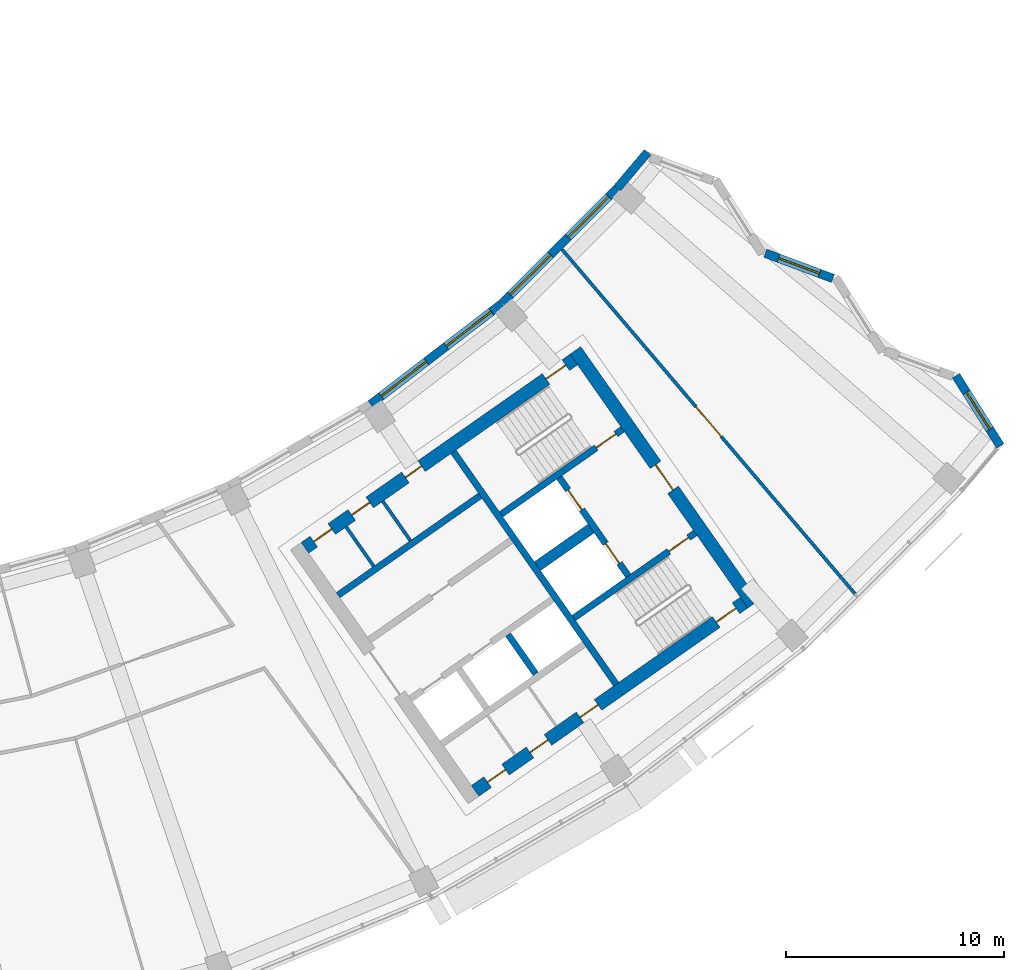
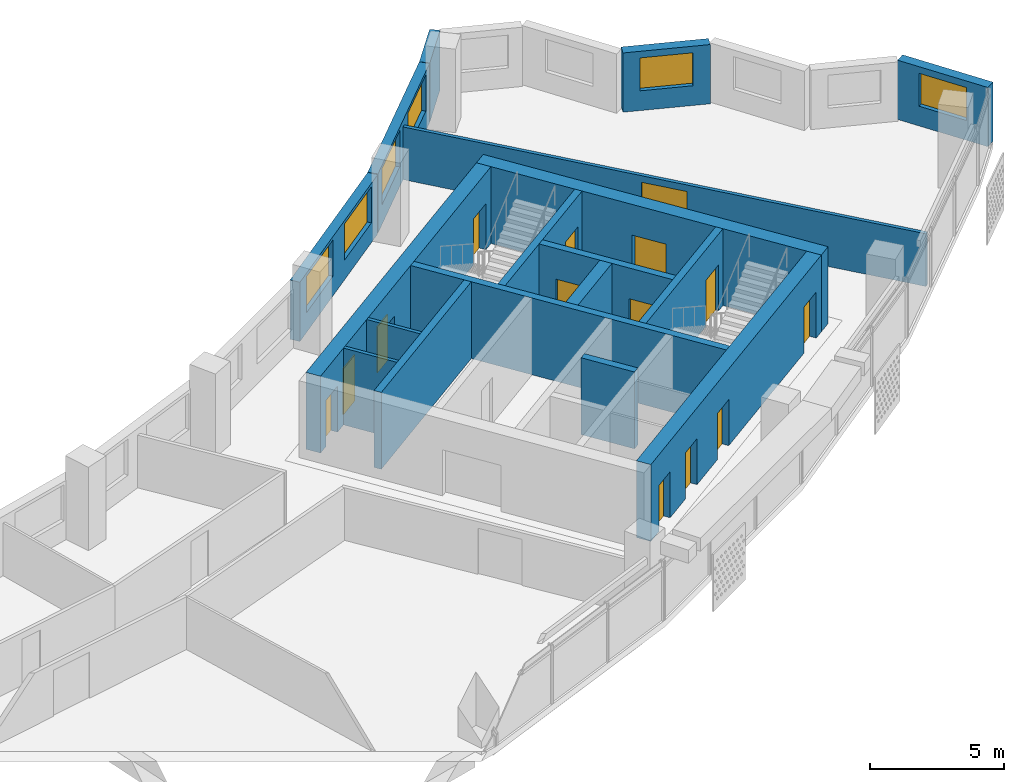
# One storey, part 7 of 28: 18 walls, 14 doors, 6 windows, 20 openings.
"""IFC4 building model written with IfcOpenShell, lengths in metres."""

from ifc_helpers import new_model, si_unit, direction, frame, frame_2d, origin, place, context, subcontext, project, spatial, rectangle, extrude, material, layer, layer_set, type_object, element, fill, save


model = new_model("IFC4")

# Units and contexts
model_context = context("Model", 3, precision=1e-05, world=origin(), true_north=direction((0.0, 1.0)))
body_context = subcontext(model_context, "Body", "Model", "MODEL_VIEW")
ifc_project = project(units=[si_unit("LENGTHUNIT", "METRE"), si_unit("AREAUNIT", "SQUARE_METRE"), si_unit("VOLUMEUNIT", "CUBIC_METRE"), si_unit("PLANEANGLEUNIT", "RADIAN"), si_unit("MASSUNIT", "GRAM", prefix="KILO")], contexts=[model_context])

# Site, building, storey
site_placement = place(None, origin())
site = spatial("IfcSite", under=ifc_project, at=site_placement, CompositionType="ELEMENT")
building_placement = place(site_placement, origin())
building = spatial("IfcBuilding", under=site, at=building_placement, Name="Qamariyya Broadcast Tower", CompositionType="ELEMENT")
storey_placement = place(building_placement, frame((0.0, 0.0, 230.300048828125)))
storey = spatial("IfcBuildingStorey", under=building, at=storey_placement, Name="L55", CompositionType="ELEMENT", Elevation=230.300048828125)

# Wall, opening, door
ifc_material_1 = material(Name="Concrete C60/75", Category="concrete")
ifc_layer_1 = layer(ifc_material_1, 0.60009765625)
ifc_layer_set_1 = layer_set([ifc_layer_1], Name="Core wall 600 mm Concrete C60/75")
wall_type_1 = type_object("IfcWallType", Name="Core wall 600 mm Concrete C60/75", PredefinedType="SHEAR", material=ifc_layer_set_1)
wall_1_placement = place(storey_placement, frame((49.4833984375, -57.031494140625, 0.0), z_axis=(0.0, 0.0, 1.0), x_axis=(-0.573560421458, 0.819163257805, 0.0)))
wall_1 = element("IfcWall", 1, at=wall_1_placement, inside=storey, type_object=wall_type_1, Name="k-E-L55-WH", PredefinedType="SHEAR", context=body_context, shape_type="SweptSolid", body=[
    extrude(rectangle(XDim=14.199951171875, YDim=0.60009765625, at=frame_2d((7.10009765625, 0.0))), origin(), (0.0, 0.0, 1.0), 3.5),
])
opening_1_placement = place(wall_1_placement, frame((6.39990234375, 0.0, 0.0)))
opening_1 = element("IfcOpeningElement", 2, at=opening_1_placement, cuts=wall_1, Name="Opening KD2-E1", PredefinedType="OPENING", context=body_context, shape_type="SweptSolid", body=[
    extrude(rectangle(XDim=1.39990234375, YDim=2.10009765625, at=frame_2d((0.699951171875, 1.050048828125))), frame((0.0, 0.31005859375, 0.0), z_axis=(0.0, -1.0, 0.0), x_axis=(1.0, 0.0, 0.0)), (0.0, 0.0, 1.0), 0.6201171875),
])
ifc_material_2 = material(Name="Steel fire-resisting door leaf", Category="steel")
door_type_1 = type_object("IfcDoorType", Name="Fire-fighting lobby door KD2", OperationType="DOUBLE_DOOR_SINGLE_SWING", PredefinedType="DOOR", material=ifc_material_2)
door_1_placement = place(opening_1_placement, origin())
door_1 = element("IfcDoor", 3, at=door_1_placement, inside=storey, type_object=door_type_1, Name="k-E-L55-WH-D13", OperationType="DOUBLE_DOOR_SINGLE_SWING", OverallHeight=2.10009765625, OverallWidth=1.39990234375, PredefinedType="DOOR", context=body_context, shape_type="SweptSolid", body=[
    extrude(rectangle(XDim=1.39990234375, YDim=2.10009765625, at=frame_2d((0.699951171875, 1.050048828125))), frame((0.0, 0.02490234375, 0.0), z_axis=(0.0, -1.0, 0.0), x_axis=(1.0, 0.0, 0.0)), (0.0, 0.0, 1.0), 0.050048828125),
])
fill(opening_1, door_1)

# Wall, openings, doors
wall_2_placement = place(storey_placement, frame((28.940673828125, -54.447021484375, 0.0), z_axis=(0.0, 0.0, 1.0), x_axis=(0.819153391756, 0.573574511963, 0.0)))
wall_2 = element("IfcWall", 4, at=wall_2_placement, inside=storey, type_object=wall_type_1, Name="k-E-L55-WI", PredefinedType="SHEAR", context=body_context, shape_type="SweptSolid", body=[
    extrude(rectangle(XDim=15.04541015625, YDim=0.60009765625, at=frame_2d((7.522705078125, 0.0))), origin(), (0.0, 0.0, 1.0), 3.5),
])
opening_2_placement = place(wall_2_placement, frame((0.5, 0.0, 0.0)))
opening_2 = element("IfcOpeningElement", 5, at=opening_2_placement, cuts=wall_2, Name="Opening KD6-E2", PredefinedType="OPENING", context=body_context, shape_type="SweptSolid", body=[
    extrude(rectangle(XDim=1.0, YDim=2.10009765625, at=frame_2d((0.5, 1.050048828125))), frame((0.0, 0.31005859375, 0.0), z_axis=(0.0, -1.0, 0.0), x_axis=(1.0, 0.0, 0.0)), (0.0, 0.0, 1.0), 0.6201171875),
])
opening_3_placement = place(wall_2_placement, frame((2.625, 0.0, 0.0)))
opening_3 = element("IfcOpeningElement", 6, at=opening_3_placement, cuts=wall_2, Name="Opening KD7-E1", PredefinedType="OPENING", context=body_context, shape_type="SweptSolid", body=[
    extrude(rectangle(XDim=1.0, YDim=2.10009765625, at=frame_2d((0.5, 1.050048828125))), frame((0.0, 0.31005859375, 0.0), z_axis=(0.0, -1.0, 0.0), x_axis=(1.0, 0.0, 0.0)), (0.0, 0.0, 1.0), 0.6201171875),
])
opening_4_placement = place(wall_2_placement, frame((5.625, 0.0, 0.0)))
opening_4 = element("IfcOpeningElement", 7, at=opening_4_placement, cuts=wall_2, Name="Opening KD5-E1", PredefinedType="OPENING", context=body_context, shape_type="SweptSolid", body=[
    extrude(rectangle(XDim=0.89990234375, YDim=2.10009765625, at=frame_2d((0.449951171875, 1.050048828125))), frame((0.0, 0.31005859375, 0.0), z_axis=(0.0, -1.0, 0.0), x_axis=(1.0, 0.0, 0.0)), (0.0, 0.0, 1.0), 0.6201171875),
])
opening_5_placement = place(wall_2_placement, frame((13.495361328125, 0.0, 0.0)))
opening_5 = element("IfcOpeningElement", 8, at=opening_5_placement, cuts=wall_2, Name="Opening KD1-E1", PredefinedType="OPENING", context=body_context, shape_type="SweptSolid", body=[
    extrude(rectangle(XDim=1.10009765625, YDim=2.10009765625, at=frame_2d((0.550048828125, 1.050048828125))), frame((0.0, 0.31005859375, 0.0), z_axis=(0.0, -1.0, 0.0), x_axis=(1.0, 0.0, 0.0)), (0.0, 0.0, 1.0), 0.6201171875),
])
door_type_2 = type_object("IfcDoorType", Name="Accessible toilet door KD7", OperationType="SINGLE_SWING_LEFT", PredefinedType="DOOR", material=ifc_material_2)
door_2_placement = place(opening_3_placement, origin())
door_2 = element("IfcDoor", 9, at=door_2_placement, inside=storey, type_object=door_type_2, Name="k-E-L55-WI-D6", OperationType="SINGLE_SWING_RIGHT", OverallHeight=2.10009765625, OverallWidth=1.0, PredefinedType="DOOR", context=body_context, shape_type="SweptSolid", body=[
    extrude(rectangle(XDim=1.0, YDim=2.10009765625, at=frame_2d((0.5, 1.050048828125))), frame((0.0, 0.02490234375, 0.0), z_axis=(0.0, -1.0, 0.0), x_axis=(1.0, 0.0, 0.0)), (0.0, 0.0, 1.0), 0.050048828125),
])
fill(opening_3, door_2)
door_type_3 = type_object("IfcDoorType", Name="Core room door KD6", OperationType="SINGLE_SWING_LEFT", PredefinedType="DOOR", material=ifc_material_2)
door_3_placement = place(opening_2_placement, origin())
door_3 = element("IfcDoor", 10, at=door_3_placement, inside=storey, type_object=door_type_3, Name="k-E-L55-WI-D5", OperationType="SINGLE_SWING_LEFT", OverallHeight=2.10009765625, OverallWidth=1.0, PredefinedType="DOOR", context=body_context, shape_type="SweptSolid", body=[
    extrude(rectangle(XDim=1.0, YDim=2.10009765625, at=frame_2d((0.5, 1.050048828125))), frame((0.0, 0.02490234375, 0.0), z_axis=(0.0, -1.0, 0.0), x_axis=(1.0, 0.0, 0.0)), (0.0, 0.0, 1.0), 0.050048828125),
])
fill(opening_2, door_3)
door_type_4 = type_object("IfcDoorType", Name="Stair door KD1", OperationType="SINGLE_SWING_LEFT", PredefinedType="DOOR", material=ifc_material_2)
door_4_placement = place(opening_5_placement, origin())
door_4 = element("IfcDoor", 11, at=door_4_placement, inside=storey, type_object=door_type_4, Name="k-E-L55-WI-D14", OperationType="SINGLE_SWING_RIGHT", OverallHeight=2.10009765625, OverallWidth=1.10009765625, PredefinedType="DOOR", context=body_context, shape_type="SweptSolid", body=[
    extrude(rectangle(XDim=1.10009765625, YDim=2.10009765625, at=frame_2d((0.550048828125, 1.050048828125))), frame((0.0, 0.02490234375, 0.0), z_axis=(0.0, -1.0, 0.0), x_axis=(1.0, 0.0, 0.0)), (0.0, 0.0, 1.0), 0.050048828125),
])
fill(opening_5, door_4)
door_type_5 = type_object("IfcDoorType", Name="Toilet door KD5", OperationType="SINGLE_SWING_LEFT", PredefinedType="DOOR", material=ifc_material_2)
door_5_placement = place(opening_4_placement, origin())
door_5 = element("IfcDoor", 12, at=door_5_placement, inside=storey, type_object=door_type_5, Name="k-E-L55-WI-D7", OperationType="SINGLE_SWING_LEFT", OverallHeight=2.10009765625, OverallWidth=0.89990234375, PredefinedType="DOOR", context=body_context, shape_type="SweptSolid", body=[
    extrude(rectangle(XDim=0.89990234375, YDim=2.10009765625, at=frame_2d((0.449951171875, 1.050048828125))), frame((0.0, 0.02490234375, 0.0), z_axis=(0.0, -1.0, 0.0), x_axis=(1.0, 0.0, 0.0)), (0.0, 0.0, 1.0), 0.050048828125),
])
fill(opening_4, door_5)

wall_3_placement = place(storey_placement, frame((36.7412109375, -65.58740234375, 0.0), z_axis=(0.0, 0.0, 1.0), x_axis=(0.819153391756, 0.573574511963, 0.0)))
wall_3 = element("IfcWall", 13, at=wall_3_placement, inside=storey, type_object=wall_type_1, Name="k-E-L55-WO", PredefinedType="SHEAR", context=body_context, shape_type="SweptSolid", body=[
    extrude(rectangle(XDim=15.04541015625, YDim=0.60009765625, at=frame_2d((7.522705078125, 0.0))), origin(), (0.0, 0.0, 1.0), 3.5),
])
opening_6_placement = place(wall_3_placement, frame((0.699951171875, 0.0, 0.0)))
opening_6 = element("IfcOpeningElement", 14, at=opening_6_placement, cuts=wall_3, Name="Opening KD6-E3", PredefinedType="OPENING", context=body_context, shape_type="SweptSolid", body=[
    extrude(rectangle(XDim=1.0, YDim=2.10009765625, at=frame_2d((0.5, 1.050048828125))), frame((0.0, 0.31005859375, 0.0), z_axis=(0.0, -1.0, 0.0), x_axis=(1.0, 0.0, 0.0)), (0.0, 0.0, 1.0), 0.6201171875),
])
opening_7_placement = place(wall_3_placement, frame((3.074951171875, 0.0, 0.0)))
opening_7 = element("IfcOpeningElement", 15, at=opening_7_placement, cuts=wall_3, Name="Opening KD4-E1", PredefinedType="OPENING", context=body_context, shape_type="SweptSolid", body=[
    extrude(rectangle(XDim=1.0, YDim=2.10009765625, at=frame_2d((0.5, 1.050048828125))), frame((0.0, 0.31005859375, 0.0), z_axis=(0.0, -1.0, 0.0), x_axis=(1.0, 0.0, 0.0)), (0.0, 0.0, 1.0), 0.6201171875),
])
opening_8_placement = place(wall_3_placement, frame((5.875, 0.0, 0.0)))
opening_8 = element("IfcOpeningElement", 16, at=opening_8_placement, cuts=wall_3, Name="Opening KD4-E2", PredefinedType="OPENING", context=body_context, shape_type="SweptSolid", body=[
    extrude(rectangle(XDim=1.0, YDim=2.10009765625, at=frame_2d((0.5, 1.050048828125))), frame((0.0, 0.31005859375, 0.0), z_axis=(0.0, -1.0, 0.0), x_axis=(1.0, 0.0, 0.0)), (0.0, 0.0, 1.0), 0.6201171875),
])
opening_9_placement = place(wall_3_placement, frame((13.495361328125, 0.0, 0.0)))
opening_9 = element("IfcOpeningElement", 17, at=opening_9_placement, cuts=wall_3, Name="Opening KD1-E3", PredefinedType="OPENING", context=body_context, shape_type="SweptSolid", body=[
    extrude(rectangle(XDim=1.10009765625, YDim=2.10009765625, at=frame_2d((0.550048828125, 1.050048828125))), frame((0.0, 0.31005859375, 0.0), z_axis=(0.0, -1.0, 0.0), x_axis=(1.0, 0.0, 0.0)), (0.0, 0.0, 1.0), 0.6201171875),
])
door_6_placement = place(opening_6_placement, origin())
door_6 = element("IfcDoor", 18, at=door_6_placement, inside=storey, type_object=door_type_3, Name="k-E-L55-WO-D8", OperationType="SINGLE_SWING_RIGHT", OverallHeight=2.10009765625, OverallWidth=1.0, PredefinedType="DOOR", context=body_context, shape_type="SweptSolid", body=[
    extrude(rectangle(XDim=1.0, YDim=2.10009765625, at=frame_2d((0.5, 1.050048828125))), frame((0.0, 0.02490234375, 0.0), z_axis=(0.0, -1.0, 0.0), x_axis=(1.0, 0.0, 0.0)), (0.0, 0.0, 1.0), 0.050048828125),
])
fill(opening_6, door_6)
door_type_6 = type_object("IfcDoorType", Name="Riser and plant door KD4", OperationType="SINGLE_SWING_LEFT", PredefinedType="DOOR", material=ifc_material_2)
door_7_placement = place(opening_7_placement, origin())
door_7 = element("IfcDoor", 19, at=door_7_placement, inside=storey, type_object=door_type_6, Name="k-E-L55-WO-D9", OperationType="SINGLE_SWING_LEFT", OverallHeight=2.10009765625, OverallWidth=1.0, PredefinedType="DOOR", context=body_context, shape_type="SweptSolid", body=[
    extrude(rectangle(XDim=1.0, YDim=2.10009765625, at=frame_2d((0.5, 1.050048828125))), frame((0.0, 0.02490234375, 0.0), z_axis=(0.0, -1.0, 0.0), x_axis=(1.0, 0.0, 0.0)), (0.0, 0.0, 1.0), 0.050048828125),
])
fill(opening_7, door_7)
door_8_placement = place(opening_8_placement, origin())
door_8 = element("IfcDoor", 20, at=door_8_placement, inside=storey, type_object=door_type_6, Name="k-E-L55-WO-D10", OperationType="SINGLE_SWING_RIGHT", OverallHeight=2.10009765625, OverallWidth=1.0, PredefinedType="DOOR", context=body_context, shape_type="SweptSolid", body=[
    extrude(rectangle(XDim=1.0, YDim=2.10009765625, at=frame_2d((0.5, 1.050048828125))), frame((0.0, 0.02490234375, 0.0), z_axis=(0.0, -1.0, 0.0), x_axis=(1.0, 0.0, 0.0)), (0.0, 0.0, 1.0), 0.050048828125),
])
fill(opening_8, door_8)
door_9_placement = place(opening_9_placement, origin())
door_9 = element("IfcDoor", 21, at=door_9_placement, inside=storey, type_object=door_type_4, Name="k-E-L55-WO-D16", OperationType="SINGLE_SWING_LEFT", OverallHeight=2.10009765625, OverallWidth=1.10009765625, PredefinedType="DOOR", context=body_context, shape_type="SweptSolid", body=[
    extrude(rectangle(XDim=1.10009765625, YDim=2.10009765625, at=frame_2d((0.550048828125, 1.050048828125))), frame((0.0, 0.02490234375, 0.0), z_axis=(0.0, -1.0, 0.0), x_axis=(1.0, 0.0, 0.0)), (0.0, 0.0, 1.0), 0.050048828125),
])
fill(opening_9, door_9)

# Wall, opening, door
ifc_material_3 = material(Name="Gypsum board partition")
ifc_layer_2 = layer(ifc_material_3, 0.14990234375)
ifc_layer_set_2 = layer_set([ifc_layer_2], Name="Corridor partition 150 EI 60")
wall_type_2 = type_object("IfcWallType", Name="Corridor partition 150 EI 60", PredefinedType="PARTITIONING", material=ifc_layer_set_2)
wall_4_placement = place(storey_placement, frame((40.724853515625, -40.7705078125, 0.0), z_axis=(0.0, 0.0, 1.0), x_axis=(0.647962636986, -0.761672121762, 0.0)))
wall_4 = element("IfcWall", 22, at=wall_4_placement, inside=storey, type_object=wall_type_2, Name="Partition L55-032", PredefinedType="PARTITIONING", context=body_context, shape_type="SweptSolid", body=[
    extrude(rectangle(XDim=20.723388671875, YDim=0.14990234375, at=frame_2d((10.36181640625, 0.0))), origin(), (0.0, 0.0, 1.0), 2.39990234375),
])
opening_10_placement = place(wall_4_placement, frame((9.461669921875, 0.0, 0.0)))
opening_10 = element("IfcOpeningElement", 23, at=opening_10_placement, cuts=wall_4, Name="Opening L55-D16", PredefinedType="OPENING", context=body_context, shape_type="SweptSolid", body=[
    extrude(rectangle(XDim=1.800048828125, YDim=2.10009765625, at=frame_2d((0.89990234375, 1.050048828125))), frame((0.0, 0.0849609375, 0.0), z_axis=(0.0, -1.0, 0.0), x_axis=(1.0, 0.0, 0.0)), (0.0, 0.0, 1.0), 0.169921875),
])
ifc_material_4 = material(Name="Timber fire door leaf", Category="wood")
door_type_7 = type_object("IfcDoorType", Name="Double fire door 1800 x 2100 FD60", OperationType="NOTDEFINED", PredefinedType="DOOR", material=ifc_material_4)
door_10_placement = place(opening_10_placement, origin())
door_10 = element("IfcDoor", 24, at=door_10_placement, inside=storey, type_object=door_type_7, Name="Door L55-D16", OperationType="DOUBLE_DOOR_SINGLE_SWING", OverallHeight=2.10009765625, OverallWidth=1.800048828125, PredefinedType="DOOR", context=body_context, shape_type="SweptSolid", body=[
    extrude(rectangle(XDim=1.800048828125, YDim=2.10009765625, at=frame_2d((0.89990234375, 1.050048828125))), frame((0.0, 0.02490234375, 0.0), z_axis=(0.0, -1.0, 0.0), x_axis=(1.0, 0.0, 0.0)), (0.0, 0.0, 1.0), 0.050048828125),
])
fill(opening_10, door_10)

# Walls
ifc_layer_3 = layer(ifc_material_1, 0.5)
ifc_layer_set_3 = layer_set([ifc_layer_3], Name="Fire-fighting lobby divider wall 500 mm Concrete C60/75")
wall_type_3 = type_object("IfcWallType", Name="Fire-fighting lobby divider wall 500 mm Concrete C60/75", PredefinedType="SOLIDWALL", material=ifc_layer_set_3)
wall_5_placement = place(storey_placement, frame((39.59912109375, -55.28515625, 0.0), z_axis=(0.0, 0.0, 1.0), x_axis=(0.819136323161, 0.573598887793, 0.0)))
element("IfcWall", 25, at=wall_5_placement, inside=storey, type_object=wall_type_3, Name="k-E-L55-FD", PredefinedType="SOLIDWALL", context=body_context, shape_type="SweptSolid", body=[
    extrude(rectangle(XDim=2.999755859375, YDim=0.5, at=frame_2d((1.5, 0.0))), origin(), (0.0, 0.0, 1.0), 3.5),
])
ifc_material_5 = material(Name="Gypsum board partition on steel studs", Category="steel")
ifc_layer_4 = layer(ifc_material_5, 0.14990234375)
ifc_layer_set_4 = layer_set([ifc_layer_4], Name="Gypsum board partition 150 mm")
wall_type_4 = type_object("IfcWallType", Name="Gypsum board partition 150 mm", PredefinedType="PARTITIONING", material=ifc_layer_set_4)
wall_6_placement = place(storey_placement, frame((32.0947265625, -55.290283203125, 0.0), z_axis=(0.0, 0.0, 1.0), x_axis=(-0.573559170999, 0.819164133348, 0.0)))
element("IfcWall", 26, at=wall_6_placement, inside=storey, type_object=wall_type_4, Name="k-E-L55-NP210", PredefinedType="PARTITIONING", context=body_context, shape_type="SweptSolid", body=[
    extrude(rectangle(XDim=2.19970703125, YDim=0.14990234375, at=frame_2d((1.099853515625, 0.0))), origin(), (0.0, 0.0, 1.0), 3.5),
])
wall_7_placement = place(storey_placement, frame((33.774169921875, -54.114501953125, 0.0), z_axis=(0.0, 0.0, 1.0), x_axis=(-0.573581496053, 0.819148501424, 0.0)))
element("IfcWall", 27, at=wall_7_placement, inside=storey, type_object=wall_type_4, Name="k-E-L55-NP415", PredefinedType="PARTITIONING", context=body_context, shape_type="SweptSolid", body=[
    extrude(rectangle(XDim=2.2001953125, YDim=0.14990234375, at=frame_2d((1.10009765625, 0.0))), origin(), (0.0, 0.0, 1.0), 3.5),
])
ifc_layer_5 = layer(ifc_material_1, 0.300048828125)
ifc_layer_set_5 = layer_set([ifc_layer_5], Name="Lift shaft wall 300 mm Concrete C60/75")
wall_type_5 = type_object("IfcWallType", Name="Lift shaft wall 300 mm Concrete C60/75", PredefinedType="SOLIDWALL", material=ifc_layer_set_5)
wall_8_placement = place(storey_placement, frame((43.204345703125, -60.69580078125, 0.0), z_axis=(0.0, 0.0, 1.0), x_axis=(-0.573571992966, 0.819155155563, 0.0)))
element("IfcWall", 28, at=wall_8_placement, inside=storey, type_object=wall_type_5, Name="k-E-L55-WL", PredefinedType="SOLIDWALL", context=body_context, shape_type="SweptSolid", body=[
    extrude(rectangle(XDim=13.000244140625, YDim=0.300048828125, at=frame_2d((6.5, 0.0))), origin(), (0.0, 0.0, 1.0), 3.5),
])
wall_9_placement = place(storey_placement, frame((30.460693359375, -56.61767578125, 0.0), z_axis=(0.0, 0.0, 1.0), x_axis=(0.819142461705, 0.573590121456, 0.0)))
element("IfcWall", 29, at=wall_9_placement, inside=storey, type_object=wall_type_5, Name="k-E-L55-NB0", PredefinedType="SOLIDWALL", context=body_context, shape_type="SweptSolid", body=[
    extrude(rectangle(XDim=7.949951171875, YDim=0.300048828125, at=frame_2d((3.97509765625, 0.0))), origin(), (0.0, 0.0, 1.0), 3.5),
])
wall_10_placement = place(storey_placement, frame((38.255859375, -58.423095703125, 0.0), z_axis=(0.0, 0.0, 1.0), x_axis=(0.573633636671, -0.819111989218, 0.0)))
element("IfcWall", 30, at=wall_10_placement, inside=storey, type_object=wall_type_5, Name="k-E-L55-SD1", PredefinedType="SOLIDWALL", context=body_context, shape_type="SweptSolid", body=[
    extrude(rectangle(XDim=2.199951171875, YDim=0.300048828125, at=frame_2d((1.10009765625, 0.0))), origin(), (0.0, 0.0, 1.0), 3.5),
])

# Wall, opening, door
wall_11_placement = place(storey_placement, frame((37.935546875, -52.90966796875, 0.0), z_axis=(0.0, 0.0, 1.0), x_axis=(0.819147518138, 0.57358290031, 0.0)))
wall_11 = element("IfcWall", 31, at=wall_11_placement, inside=storey, type_object=wall_type_5, Name="k-E-L55-NW", PredefinedType="SOLIDWALL", context=body_context, shape_type="SweptSolid", body=[
    extrude(rectangle(XDim=6.79541015625, YDim=0.300048828125, at=frame_2d((3.397705078125, 0.0))), origin(), (0.0, 0.0, 1.0), 3.5),
])
opening_11_placement = place(wall_11_placement, frame((5.3203125, 0.0, 0.0)))
opening_11 = element("IfcOpeningElement", 32, at=opening_11_placement, cuts=wall_11, Name="Opening KD1-E2", PredefinedType="OPENING", context=body_context, shape_type="SweptSolid", body=[
    extrude(rectangle(XDim=1.10009765625, YDim=2.10009765625, at=frame_2d((0.550048828125, 1.050048828125))), frame((0.0, 0.159912109375, 0.0), z_axis=(0.0, -1.0, 0.0), x_axis=(1.0, 0.0, 0.0)), (0.0, 0.0, 1.0), 0.320068359375),
])
door_11_placement = place(opening_11_placement, origin())
door_11 = element("IfcDoor", 33, at=door_11_placement, inside=storey, type_object=door_type_4, Name="k-E-L55-NW-D15", OperationType="SINGLE_SWING_LEFT", OverallHeight=2.10009765625, OverallWidth=1.10009765625, PredefinedType="DOOR", context=body_context, shape_type="SweptSolid", body=[
    extrude(rectangle(XDim=1.10009765625, YDim=2.10009765625, at=frame_2d((0.550048828125, 1.050048828125))), frame((0.0, 0.02490234375, 0.0), z_axis=(0.0, -1.0, 0.0), x_axis=(1.0, 0.0, 0.0)), (0.0, 0.0, 1.0), 0.050048828125),
])
fill(opening_11, door_11)

wall_12_placement = place(storey_placement, frame((41.262451171875, -57.66064453125, 0.0), z_axis=(0.0, 0.0, 1.0), x_axis=(0.819164398642, 0.573558792102, 0.0)))
wall_12 = element("IfcWall", 34, at=wall_12_placement, inside=storey, type_object=wall_type_5, Name="k-E-L55-SW", PredefinedType="SOLIDWALL", context=body_context, shape_type="SweptSolid", body=[
    extrude(rectangle(XDim=6.795166015625, YDim=0.300048828125, at=frame_2d((3.3974609375, 0.0))), origin(), (0.0, 0.0, 1.0), 3.5),
])
opening_12_placement = place(wall_12_placement, frame((5.3203125, 0.0, 0.0)))
opening_12 = element("IfcOpeningElement", 35, at=opening_12_placement, cuts=wall_12, Name="Opening KD1-E4", PredefinedType="OPENING", context=body_context, shape_type="SweptSolid", body=[
    extrude(rectangle(XDim=1.10009765625, YDim=2.10009765625, at=frame_2d((0.550048828125, 1.050048828125))), frame((0.0, 0.159912109375, 0.0), z_axis=(0.0, -1.0, 0.0), x_axis=(1.0, 0.0, 0.0)), (0.0, 0.0, 1.0), 0.320068359375),
])
door_12_placement = place(opening_12_placement, origin())
door_12 = element("IfcDoor", 36, at=door_12_placement, inside=storey, type_object=door_type_4, Name="k-E-L55-SW-D17", OperationType="SINGLE_SWING_LEFT", OverallHeight=2.10009765625, OverallWidth=1.10009765625, PredefinedType="DOOR", context=body_context, shape_type="SweptSolid", body=[
    extrude(rectangle(XDim=1.10009765625, YDim=2.10009765625, at=frame_2d((0.550048828125, 1.050048828125))), frame((0.0, 0.02490234375, 0.0), z_axis=(0.0, -1.0, 0.0), x_axis=(1.0, 0.0, 0.0)), (0.0, 0.0, 1.0), 0.050048828125),
])
fill(opening_12, door_12)

# Wall, openings, doors
wall_13_placement = place(storey_placement, frame((43.756591796875, -55.731201171875, 0.0), z_axis=(0.0, 0.0, 1.0), x_axis=(-0.573536818435, 0.819179783625, 0.0)))
wall_13 = element("IfcWall", 37, at=wall_13_placement, inside=storey, type_object=wall_type_5, Name="k-E-L55-FF", PredefinedType="SOLIDWALL", context=body_context, shape_type="SweptSolid", body=[
    extrude(rectangle(XDim=5.500244140625, YDim=0.300048828125, at=frame_2d((2.75, 0.0))), origin(), (0.0, 0.0, 1.0), 3.5),
])
opening_13_placement = place(wall_13_placement, frame((0.699951171875, 0.0, 0.0)))
opening_13 = element("IfcOpeningElement", 38, at=opening_13_placement, cuts=wall_13, Name="Opening LD", PredefinedType="OPENING", context=body_context, shape_type="SweptSolid", body=[
    extrude(rectangle(XDim=1.10009765625, YDim=2.10009765625, at=frame_2d((0.550048828125, 1.050048828125))), frame((0.0, 0.159912109375, 0.0), z_axis=(0.0, -1.0, 0.0), x_axis=(1.0, 0.0, 0.0)), (0.0, 0.0, 1.0), 0.320068359375),
])
opening_14_placement = place(wall_13_placement, frame((3.699951171875, 0.0, 0.0)))
opening_14 = element("IfcOpeningElement", 39, at=opening_14_placement, cuts=wall_13, Name="Opening LD", PredefinedType="OPENING", context=body_context, shape_type="SweptSolid", body=[
    extrude(rectangle(XDim=1.10009765625, YDim=2.10009765625, at=frame_2d((0.550048828125, 1.050048828125))), frame((0.0, 0.159912109375, 0.0), z_axis=(0.0, -1.0, 0.0), x_axis=(1.0, 0.0, 0.0)), (0.0, 0.0, 1.0), 0.320068359375),
])
door_type_8 = type_object("IfcDoorType", Name="Lift landing door LD", OperationType="DOUBLE_DOOR_SLIDING", PredefinedType="DOOR", material=ifc_material_2)
door_13_placement = place(opening_13_placement, origin())
door_13 = element("IfcDoor", 40, at=door_13_placement, inside=storey, type_object=door_type_8, Name="k-E-L55-FF-D11", OperationType="DOUBLE_DOOR_SLIDING", OverallHeight=2.10009765625, OverallWidth=1.10009765625, PredefinedType="DOOR", context=body_context, shape_type="SweptSolid", body=[
    extrude(rectangle(XDim=1.10009765625, YDim=2.10009765625, at=frame_2d((0.550048828125, 1.050048828125))), frame((0.0, 0.02490234375, 0.0), z_axis=(0.0, -1.0, 0.0), x_axis=(1.0, 0.0, 0.0)), (0.0, 0.0, 1.0), 0.050048828125),
])
fill(opening_13, door_13)
door_14_placement = place(opening_14_placement, origin())
door_14 = element("IfcDoor", 41, at=door_14_placement, inside=storey, type_object=door_type_8, Name="k-E-L55-FF-D12", OperationType="DOUBLE_DOOR_SLIDING", OverallHeight=2.10009765625, OverallWidth=1.10009765625, PredefinedType="DOOR", context=body_context, shape_type="SweptSolid", body=[
    extrude(rectangle(XDim=1.10009765625, YDim=2.10009765625, at=frame_2d((0.550048828125, 1.050048828125))), frame((0.0, 0.02490234375, 0.0), z_axis=(0.0, -1.0, 0.0), x_axis=(1.0, 0.0, 0.0)), (0.0, 0.0, 1.0), 0.050048828125),
])
fill(opening_14, door_14)

# Wall, opening, window
ifc_material_6 = material(Name="Terracotta", Category="masonry")
ifc_layer_6 = layer(ifc_material_6, 0.39990234375)
ifc_layer_set_6 = layer_set([ifc_layer_6], Name="Terracotta clad wall 400")
wall_type_6 = type_object("IfcWallType", Name="Terracotta clad wall 400", PredefinedType="SOLIDWALL", material=ifc_layer_set_6)
wall_14_placement = place(storey_placement, frame((60.810302734375, -49.77880859375, 0.0), z_axis=(0.0, 0.0, 1.0), x_axis=(-0.532962861966, 0.846138633892, 0.0)))
wall_14 = element("IfcWall", 42, at=wall_14_placement, inside=storey, type_object=wall_type_6, Name="e-wl-L55-capE0", PredefinedType="SOLIDWALL", context=body_context, shape_type="SweptSolid", body=[
    extrude(rectangle(XDim=3.808837890625, YDim=0.39990234375, at=frame_2d((1.904296875, 0.0))), origin(), (0.0, 0.0, 1.0), 2.699951171875),
])
opening_15_placement = place(wall_14_placement, frame((0.904296875, 0.0, 0.89990234375)))
opening_15 = element("IfcOpeningElement", 43, at=opening_15_placement, cuts=wall_14, Name="Opening W4", PredefinedType="OPENING", context=body_context, shape_type="SweptSolid", body=[
    extrude(rectangle(XDim=2.0, YDim=1.5, at=frame_2d((1.0, 0.75))), frame((0.0, 0.2099609375, 0.0), z_axis=(0.0, -1.0, 0.0), x_axis=(1.0, 0.0, 0.0)), (0.0, 0.0, 1.0), 0.419921875),
])
ifc_material_7 = material(Name="Clear low-e double glazed unit in aluminium frame", Category="aluminium")
window_type_1 = type_object("IfcWindowType", Name="Horn bay window 2000 x 1500", PartitioningType="SINGLE_PANEL", PredefinedType="WINDOW", material=ifc_material_7)
window_1_placement = place(opening_15_placement, origin())
window_1 = element("IfcWindow", 44, at=window_1_placement, inside=storey, type_object=window_type_1, Name="e-w-L55-capE0", OverallHeight=1.5, OverallWidth=2.0, PartitioningType="SINGLE_PANEL", PredefinedType="WINDOW", context=body_context, shape_type="SweptSolid", body=[
    extrude(rectangle(XDim=2.0, YDim=1.5, at=frame_2d((1.0, 0.75))), frame((0.0, 0.030029296875, 0.0), z_axis=(0.0, -1.0, 0.0), x_axis=(1.0, 0.0, 0.0)), (0.0, 0.0, 1.0), 0.06005859375),
])
fill(opening_15, window_1)

wall_15_placement = place(storey_placement, frame((53.135986328125, -42.09716796875, 0.0), z_axis=(0.0, 0.0, 1.0), x_axis=(-0.93705889023, 0.349171356558, 0.0)))
wall_15 = element("IfcWall", 45, at=wall_15_placement, inside=storey, type_object=wall_type_6, Name="e-wl-L55-capE3", PredefinedType="SOLIDWALL", context=body_context, shape_type="SweptSolid", body=[
    extrude(rectangle(XDim=3.304443359375, YDim=0.39990234375, at=frame_2d((1.65234375, 0.0))), origin(), (0.0, 0.0, 1.0), 2.699951171875),
])
opening_16_placement = place(wall_15_placement, frame((0.652099609375, 0.0, 0.89990234375)))
opening_16 = element("IfcOpeningElement", 46, at=opening_16_placement, cuts=wall_15, Name="Opening W4", PredefinedType="OPENING", context=body_context, shape_type="SweptSolid", body=[
    extrude(rectangle(XDim=2.0, YDim=1.5, at=frame_2d((1.0, 0.75))), frame((0.0, 0.2099609375, 0.0), z_axis=(0.0, -1.0, 0.0), x_axis=(1.0, 0.0, 0.0)), (0.0, 0.0, 1.0), 0.419921875),
])
window_2_placement = place(opening_16_placement, origin())
window_2 = element("IfcWindow", 47, at=window_2_placement, inside=storey, type_object=window_type_1, Name="e-w-L55-capE3", OverallHeight=1.5, OverallWidth=2.0, PartitioningType="SINGLE_PANEL", PredefinedType="WINDOW", context=body_context, shape_type="SweptSolid", body=[
    extrude(rectangle(XDim=2.0, YDim=1.5, at=frame_2d((1.0, 0.75))), frame((0.0, 0.030029296875, 0.0), z_axis=(0.0, -1.0, 0.0), x_axis=(1.0, 0.0, 0.0)), (0.0, 0.0, 1.0), 0.06005859375),
])
fill(opening_16, window_2)

# Wall, openings, windows
wall_16_placement = place(storey_placement, frame((37.965576171875, -43.25341796875, 0.0), z_axis=(0.0, 0.0, 1.0), x_axis=(-0.793356365089, -0.608757486995, 0.0)))
wall_16 = element("IfcWall", 48, at=wall_16_placement, inside=storey, type_object=wall_type_6, Name="e-wl-L55-in130", PredefinedType="SOLIDWALL", context=body_context, shape_type="SweptSolid", body=[
    extrude(rectangle(XDim=7.578125, YDim=0.39990234375, at=frame_2d((3.7890625, 0.0))), origin(), (0.0, 0.0, 1.0), 2.699951171875),
])
opening_17_placement = place(wall_16_placement, frame((4.364501953125, 0.0, 0.89990234375)))
opening_17 = element("IfcOpeningElement", 49, at=opening_17_placement, cuts=wall_16, Name="Opening W1", PredefinedType="OPENING", context=body_context, shape_type="SweptSolid", body=[
    extrude(rectangle(XDim=2.60009765625, YDim=1.64990234375, at=frame_2d((1.300048828125, 0.824951171875))), frame((0.0, 0.2099609375, 0.0), z_axis=(0.0, -1.0, 0.0), x_axis=(1.0, 0.0, 0.0)), (0.0, 0.0, 1.0), 0.419921875),
])
opening_18_placement = place(wall_16_placement, frame((0.613525390625, 0.0, 0.89990234375)))
opening_18 = element("IfcOpeningElement", 50, at=opening_18_placement, cuts=wall_16, Name="Opening W1", PredefinedType="OPENING", context=body_context, shape_type="SweptSolid", body=[
    extrude(rectangle(XDim=2.60009765625, YDim=1.64990234375, at=frame_2d((1.300048828125, 0.824951171875))), frame((0.0, 0.2099609375, 0.0), z_axis=(0.0, -1.0, 0.0), x_axis=(1.0, 0.0, 0.0)), (0.0, 0.0, 1.0), 0.419921875),
])
window_type_2 = type_object("IfcWindowType", Name="Ribbon window 2600 x 1650", PartitioningType="SINGLE_PANEL", PredefinedType="WINDOW", material=ifc_material_7)
window_3_placement = place(opening_17_placement, origin())
window_3 = element("IfcWindow", 51, at=window_3_placement, inside=storey, type_object=window_type_2, Name="e-w-L55-in13-0", OverallHeight=1.64990234375, OverallWidth=2.60009765625, PartitioningType="SINGLE_PANEL", PredefinedType="WINDOW", context=body_context, shape_type="SweptSolid", body=[
    extrude(rectangle(XDim=2.60009765625, YDim=1.64990234375, at=frame_2d((1.300048828125, 0.824951171875))), frame((0.0, 0.030029296875, 0.0), z_axis=(0.0, -1.0, 0.0), x_axis=(1.0, 0.0, 0.0)), (0.0, 0.0, 1.0), 0.06005859375),
])
fill(opening_17, window_3)
window_4_placement = place(opening_18_placement, origin())
window_4 = element("IfcWindow", 52, at=window_4_placement, inside=storey, type_object=window_type_2, Name="e-w-L55-in13-1", OverallHeight=1.64990234375, OverallWidth=2.60009765625, PartitioningType="SINGLE_PANEL", PredefinedType="WINDOW", context=body_context, shape_type="SweptSolid", body=[
    extrude(rectangle(XDim=2.60009765625, YDim=1.64990234375, at=frame_2d((1.300048828125, 0.824951171875))), frame((0.0, 0.030029296875, 0.0), z_axis=(0.0, -1.0, 0.0), x_axis=(1.0, 0.0, 0.0)), (0.0, 0.0, 1.0), 0.06005859375),
])
fill(opening_18, window_4)

wall_17_placement = place(storey_placement, frame((43.2431640625, -37.97119140625, 0.0), z_axis=(0.0, 0.0, 1.0), x_axis=(-0.707106781187, -0.707106781187, 0.0)))
wall_17 = element("IfcWall", 53, at=wall_17_placement, inside=storey, type_object=wall_type_6, Name="e-wl-L55-in140", PredefinedType="SOLIDWALL", context=body_context, shape_type="SweptSolid", body=[
    extrude(rectangle(XDim=7.441162109375, YDim=0.39990234375, at=frame_2d((3.720703125, 0.0))), origin(), (0.0, 0.0, 1.0), 2.699951171875),
])
opening_19_placement = place(wall_17_placement, frame((4.30322265625, 0.0, 0.89990234375)))
opening_19 = element("IfcOpeningElement", 54, at=opening_19_placement, cuts=wall_17, Name="Opening W1", PredefinedType="OPENING", context=body_context, shape_type="SweptSolid", body=[
    extrude(rectangle(XDim=2.60009765625, YDim=1.64990234375, at=frame_2d((1.300048828125, 0.824951171875))), frame((0.0, 0.2099609375, 0.0), z_axis=(0.0, -1.0, 0.0), x_axis=(1.0, 0.0, 0.0)), (0.0, 0.0, 1.0), 0.419921875),
])
opening_20_placement = place(wall_17_placement, frame((0.55224609375, 0.0, 0.89990234375)))
opening_20 = element("IfcOpeningElement", 55, at=opening_20_placement, cuts=wall_17, Name="Opening W1", PredefinedType="OPENING", context=body_context, shape_type="SweptSolid", body=[
    extrude(rectangle(XDim=2.60009765625, YDim=1.64990234375, at=frame_2d((1.300048828125, 0.824951171875))), frame((0.0, 0.2099609375, 0.0), z_axis=(0.0, -1.0, 0.0), x_axis=(1.0, 0.0, 0.0)), (0.0, 0.0, 1.0), 0.419921875),
])
window_5_placement = place(opening_19_placement, origin())
window_5 = element("IfcWindow", 56, at=window_5_placement, inside=storey, type_object=window_type_2, Name="e-w-L55-in14-0", OverallHeight=1.64990234375, OverallWidth=2.60009765625, PartitioningType="SINGLE_PANEL", PredefinedType="WINDOW", context=body_context, shape_type="SweptSolid", body=[
    extrude(rectangle(XDim=2.60009765625, YDim=1.64990234375, at=frame_2d((1.300048828125, 0.824951171875))), frame((0.0, 0.030029296875, 0.0), z_axis=(0.0, -1.0, 0.0), x_axis=(1.0, 0.0, 0.0)), (0.0, 0.0, 1.0), 0.06005859375),
])
fill(opening_19, window_5)
window_6_placement = place(opening_20_placement, origin())
window_6 = element("IfcWindow", 57, at=window_6_placement, inside=storey, type_object=window_type_2, Name="e-w-L55-in14-1", OverallHeight=1.64990234375, OverallWidth=2.60009765625, PartitioningType="SINGLE_PANEL", PredefinedType="WINDOW", context=body_context, shape_type="SweptSolid", body=[
    extrude(rectangle(XDim=2.60009765625, YDim=1.64990234375, at=frame_2d((1.300048828125, 0.824951171875))), frame((0.0, 0.030029296875, 0.0), z_axis=(0.0, -1.0, 0.0), x_axis=(1.0, 0.0, 0.0)), (0.0, 0.0, 1.0), 0.06005859375),
])
fill(opening_20, window_6)

# Wall
wall_18_placement = place(storey_placement, frame((44.646484375, -36.315185546875, 0.0), z_axis=(0.0, 0.0, 1.0), x_axis=(-0.645596737919, -0.76367850041, 0.0)))
element("IfcWall", 58, at=wall_18_placement, inside=storey, type_object=wall_type_6, Name="e-wl-L55-in150", PredefinedType="SOLIDWALL", context=body_context, shape_type="SweptSolid", body=[
    extrude(rectangle(XDim=2.154296875, YDim=0.39990234375, at=frame_2d((1.0771484375, 0.0))), origin(), (0.0, 0.0, 1.0), 2.699951171875),
])

save(model, "model.ifc")
